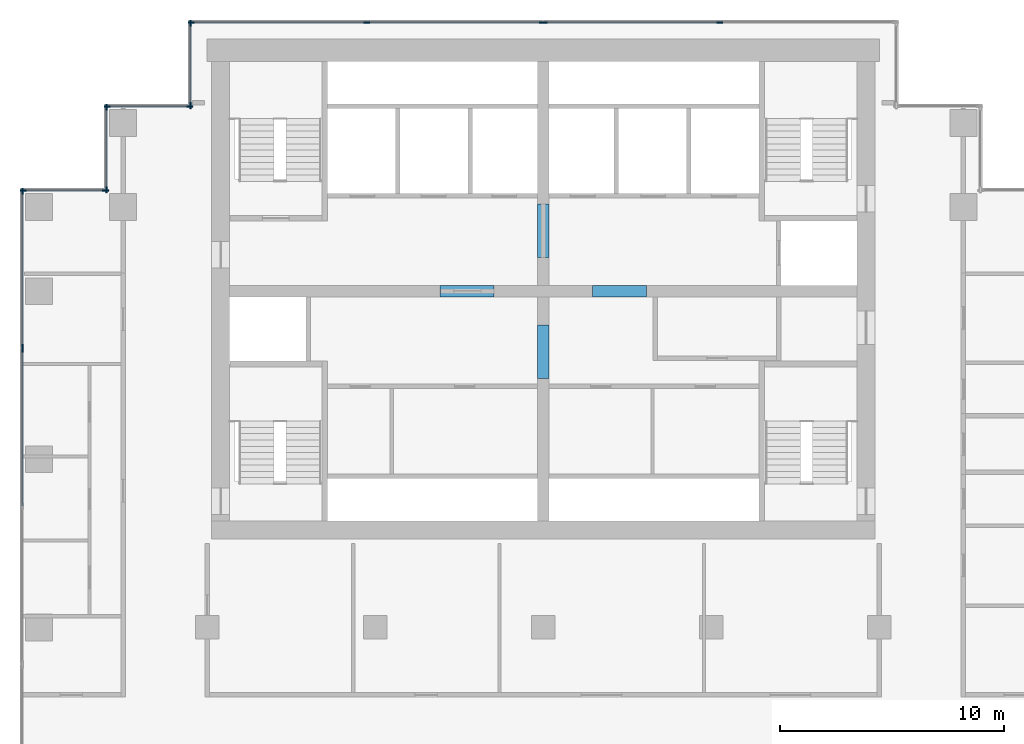
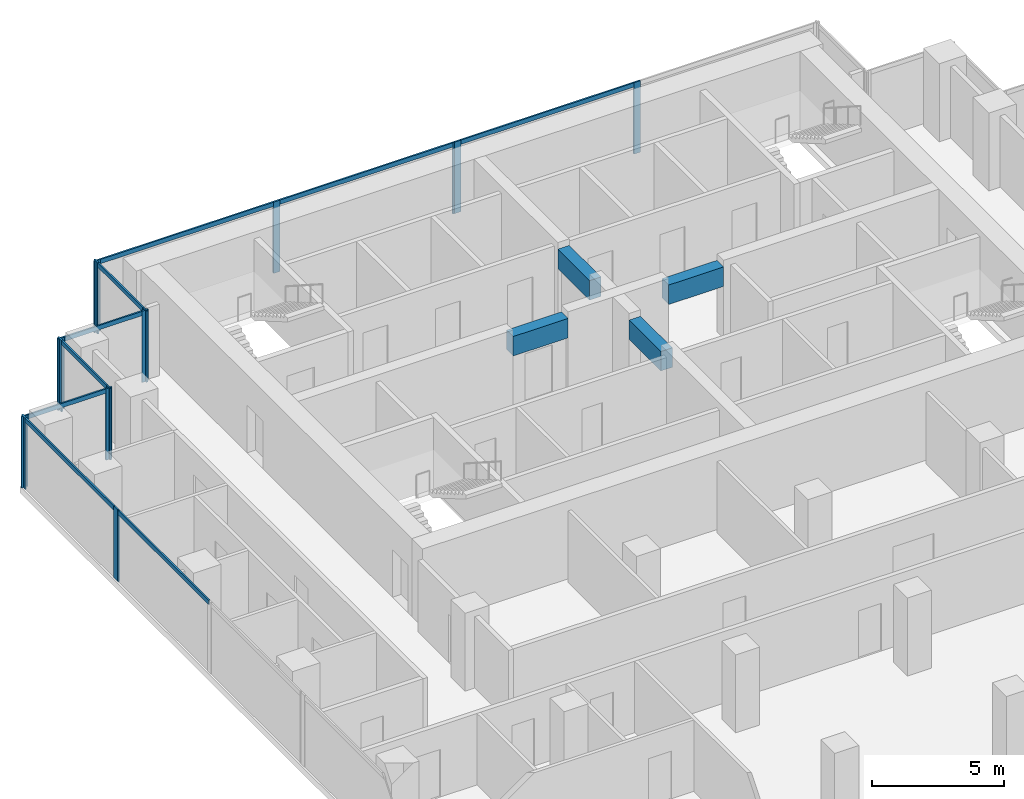
# One storey, part 4 of 10: 25 members, 4 beams, 8 elements without a shape of their own.
"""IFC4 building model written with IfcOpenShell, lengths in metres."""

from ifc_helpers import new_model, si_unit, direction, frame, origin, origin_2d, place, context, subcontext, project, spatial, rectangle, extrude, material, material_profile, profile_set, type_object, element, aggregate, save


model = new_model("IFC4")

# Units and contexts
model_context = context("Model", 3, precision=1e-05, world=origin(), true_north=direction((0.0, 1.0)))
body_context = subcontext(model_context, "Body", "Model", "MODEL_VIEW")
ifc_project = project(units=[si_unit("LENGTHUNIT", "METRE"), si_unit("AREAUNIT", "SQUARE_METRE"), si_unit("VOLUMEUNIT", "CUBIC_METRE"), si_unit("PLANEANGLEUNIT", "RADIAN"), si_unit("MASSUNIT", "GRAM", prefix="KILO")], contexts=[model_context])

# Site, building, storey
site_placement = place(None, origin())
site = spatial("IfcSite", under=ifc_project, at=site_placement, CompositionType="ELEMENT")
building_placement = place(site_placement, origin())
building = spatial("IfcBuilding", under=site, at=building_placement, Name="Pilkhan Gate Tower", CompositionType="ELEMENT")
storey_placement = place(building_placement, frame((0.0, 0.0, 154.89990234375)))
storey = spatial("IfcBuildingStorey", under=building, at=storey_placement, Name="L39", CompositionType="ELEMENT", Elevation=154.89990234375)

# Beams
ifc_material_1 = material(Name="Concrete C60/75", Category="concrete")
ifc_material_profile_1 = material_profile(ifc_material_1, rectangle(XDim=0.5, YDim=0.89990234375, at=origin_2d()), Name="RC 500x900")
ifc_profile_set_1 = profile_set([ifc_material_profile_1], Name="Concrete C60/75")
beam_type = type_object("IfcBeamType", Name="Coupling beam CB90 RC 500x900 C60/75", PredefinedType="LINTEL", material=ifc_profile_set_1)
for number, where, z_axis, x_axis, name in (
    (1, (70.39990234375, 82.5, 2.85009765625), (1.0, 0.0, 0.0), (0.0, 1.0, 0.0), "Coupling beam 1 L39"),
    (2, (77.199951171875, 82.5, 2.85009765625), (1.0, 0.0, 0.0), (0.0, 1.0, 0.0), "Coupling beam 2 L39"),
):
    element("IfcBeam", number, at=place(storey_placement, frame(where, z_axis=z_axis, x_axis=x_axis)), inside=storey, type_object=beam_type, Name=name, PredefinedType="LINTEL", context=body_context, shape_type="SweptSolid", body=[
        extrude(rectangle(XDim=0.5, YDim=0.89990234375, at=origin_2d()), origin(), (0.0, 0.0, 1.0), 2.400146484375),
    ])
for number, where, z_axis, x_axis, name in (
    (3, (75.0, 78.60009765625, 2.85009765625), (0.0, 1.0, 0.0), (-1.0, 0.0, 0.0), "Coupling beam 3 L39"),
    (4, (75.0, 84.0, 2.85009765625), (0.0, 1.0, 0.0), (-1.0, 0.0, 0.0), "Coupling beam 4 L39"),
):
    element("IfcBeam", number, at=place(storey_placement, frame(where, z_axis=z_axis, x_axis=x_axis)), inside=storey, type_object=beam_type, Name=name, PredefinedType="LINTEL", context=body_context, shape_type="SweptSolid", body=[
        extrude(rectangle(XDim=0.5, YDim=0.89990234375, at=origin_2d()), origin(), (0.0, 0.0, 1.0), 2.39990234375),
    ])

# Curtain wall, members
ifc_material_2 = material(Name="Pale anodised aluminium, clear low-iron double glazing", Category="aluminium")
curtain_wall_type = type_object("IfcCurtainWallType", Name="Office unitised curtain wall CW-O1", PredefinedType="USERDEFINED", material=ifc_material_2)
curtain_wall_1_placement = place(storey_placement, origin())
curtain_wall_1 = element("IfcCurtainWall", 5, at=curtain_wall_1_placement, inside=storey, type_object=curtain_wall_type, Name="Office unitised curtain wall CW-O1 L39 N", ObjectType="UNITISED CURTAIN WALL", PredefinedType="USERDEFINED")
ifc_material_3 = material(Name="Pale anodised aluminium", Category="aluminium")
ifc_material_profile_2 = material_profile(ifc_material_3, rectangle(XDim=0.070068359375, YDim=0.27490234375, at=origin_2d()), Name="Mullion 275x70")
ifc_profile_set_2 = profile_set([ifc_material_profile_2], Name="Pale anodised aluminium")
member_type_1 = type_object("IfcMemberType", Name="Mullion CW-O1 275x70", PredefinedType="MULLION", material=ifc_profile_set_2)
member_1_placement = place(storey_placement, frame((59.284912109375, 94.5, 0.0), z_axis=(0.0, 0.0, 1.0), x_axis=(0.0, 1.0, 0.0)))
member_1 = element("IfcMember", 6, at=member_1_placement, type_object=member_type_1, Name="CW-O1 mullion 1", PredefinedType="MULLION", context=body_context, shape_type="SweptSolid", body=[
    extrude(rectangle(XDim=0.070068359375, YDim=0.27490234375, at=origin_2d()), origin(), (0.0, 0.0, 1.0), 3.300048828125),
])
member_2_placement = place(storey_placement, frame((67.125, 94.5, 0.0), z_axis=(0.0, 0.0, 1.0), x_axis=(0.0, 1.0, 0.0)))
member_2 = element("IfcMember", 7, at=member_2_placement, type_object=member_type_1, Name="CW-O1 mullion 2", PredefinedType="MULLION", context=body_context, shape_type="SweptSolid", body=[
    extrude(rectangle(XDim=0.070068359375, YDim=0.27490234375, at=origin_2d()), origin(), (0.0, 0.0, 1.0), 3.300048828125),
])
member_3_placement = place(storey_placement, frame((74.965087890625, 94.5, 0.0), z_axis=(0.0, 0.0, 1.0), x_axis=(0.0, 1.0, 0.0)))
member_3 = element("IfcMember", 8, at=member_3_placement, type_object=member_type_1, Name="CW-O1 mullion 3", PredefinedType="MULLION", context=body_context, shape_type="SweptSolid", body=[
    extrude(rectangle(XDim=0.070068359375, YDim=0.27490234375, at=origin_2d()), origin(), (0.0, 0.0, 1.0), 3.300048828125),
])

curtain_wall_2_placement = place(storey_placement, origin())
curtain_wall_2 = element("IfcCurtainWall", 9, at=curtain_wall_2_placement, inside=storey, type_object=curtain_wall_type, Name="Office unitised curtain wall CW-O1 L39 N", ObjectType="UNITISED CURTAIN WALL", PredefinedType="USERDEFINED")
member_4_placement = place(storey_placement, frame((75.034912109375, 94.5, 0.0), z_axis=(0.0, 0.0, 1.0), x_axis=(0.0, 1.0, 0.0)))
member_4 = element("IfcMember", 10, at=member_4_placement, type_object=member_type_1, Name="CW-O1 mullion 1", PredefinedType="MULLION", context=body_context, shape_type="SweptSolid", body=[
    extrude(rectangle(XDim=0.070068359375, YDim=0.27490234375, at=origin_2d()), origin(), (0.0, 0.0, 1.0), 3.300048828125),
])
member_5_placement = place(storey_placement, frame((82.875, 94.5, 0.0), z_axis=(0.0, 0.0, 1.0), x_axis=(0.0, 1.0, 0.0)))
member_5 = element("IfcMember", 11, at=member_5_placement, type_object=member_type_1, Name="CW-O1 mullion 2", PredefinedType="MULLION", context=body_context, shape_type="SweptSolid", body=[
    extrude(rectangle(XDim=0.070068359375, YDim=0.27490234375, at=origin_2d()), origin(), (0.0, 0.0, 1.0), 3.300048828125),
])

curtain_wall_3_placement = place(storey_placement, origin())
curtain_wall_3 = element("IfcCurtainWall", 12, at=curtain_wall_3_placement, inside=storey, type_object=curtain_wall_type, Name="Office unitised curtain wall CW-O1 L39 W", ObjectType="UNITISED CURTAIN WALL", PredefinedType="USERDEFINED")
member_6_placement = place(storey_placement, frame((59.25, 90.784912109375, 0.0), z_axis=(0.0, 0.0, 1.0), x_axis=(-1.0, 0.0, 0.0)))
member_6 = element("IfcMember", 13, at=member_6_placement, type_object=member_type_1, Name="CW-O1 mullion 1", PredefinedType="MULLION", context=body_context, shape_type="SweptSolid", body=[
    extrude(rectangle(XDim=0.070068359375, YDim=0.27490234375, at=origin_2d()), origin(), (0.0, 0.0, 1.0), 3.300048828125),
])
member_7_placement = place(storey_placement, frame((59.25, 94.465087890625, 0.0), z_axis=(0.0, 0.0, 1.0), x_axis=(-1.0, 0.0, 0.0)))
member_7 = element("IfcMember", 14, at=member_7_placement, type_object=member_type_1, Name="CW-O1 mullion 2", PredefinedType="MULLION", context=body_context, shape_type="SweptSolid", body=[
    extrude(rectangle(XDim=0.070068359375, YDim=0.27490234375, at=origin_2d()), origin(), (0.0, 0.0, 1.0), 3.300048828125),
])

curtain_wall_4_placement = place(storey_placement, origin())
curtain_wall_4 = element("IfcCurtainWall", 15, at=curtain_wall_4_placement, inside=storey, type_object=curtain_wall_type, Name="Office unitised curtain wall CW-O1 L39 N", ObjectType="UNITISED CURTAIN WALL", PredefinedType="USERDEFINED")
member_8_placement = place(storey_placement, frame((55.534912109375, 90.75, 0.0), z_axis=(0.0, 0.0, 1.0), x_axis=(0.0, 1.0, 0.0)))
member_8 = element("IfcMember", 16, at=member_8_placement, type_object=member_type_1, Name="CW-O1 mullion 1", PredefinedType="MULLION", context=body_context, shape_type="SweptSolid", body=[
    extrude(rectangle(XDim=0.070068359375, YDim=0.27490234375, at=origin_2d()), origin(), (0.0, 0.0, 1.0), 3.300048828125),
])
member_9_placement = place(storey_placement, frame((59.215087890625, 90.75, 0.0), z_axis=(0.0, 0.0, 1.0), x_axis=(0.0, 1.0, 0.0)))
member_9 = element("IfcMember", 17, at=member_9_placement, type_object=member_type_1, Name="CW-O1 mullion 2", PredefinedType="MULLION", context=body_context, shape_type="SweptSolid", body=[
    extrude(rectangle(XDim=0.070068359375, YDim=0.27490234375, at=origin_2d()), origin(), (0.0, 0.0, 1.0), 3.300048828125),
])

curtain_wall_5_placement = place(storey_placement, origin())
curtain_wall_5 = element("IfcCurtainWall", 18, at=curtain_wall_5_placement, inside=storey, type_object=curtain_wall_type, Name="Office unitised curtain wall CW-O1 L39 W", ObjectType="UNITISED CURTAIN WALL", PredefinedType="USERDEFINED")
member_10_placement = place(storey_placement, frame((55.5, 87.034912109375, 0.0), z_axis=(0.0, 0.0, 1.0), x_axis=(-1.0, 0.0, 0.0)))
member_10 = element("IfcMember", 19, at=member_10_placement, type_object=member_type_1, Name="CW-O1 mullion 1", PredefinedType="MULLION", context=body_context, shape_type="SweptSolid", body=[
    extrude(rectangle(XDim=0.070068359375, YDim=0.27490234375, at=origin_2d()), origin(), (0.0, 0.0, 1.0), 3.300048828125),
])
member_11_placement = place(storey_placement, frame((55.5, 90.715087890625, 0.0), z_axis=(0.0, 0.0, 1.0), x_axis=(-1.0, 0.0, 0.0)))
member_11 = element("IfcMember", 20, at=member_11_placement, type_object=member_type_1, Name="CW-O1 mullion 2", PredefinedType="MULLION", context=body_context, shape_type="SweptSolid", body=[
    extrude(rectangle(XDim=0.070068359375, YDim=0.27490234375, at=origin_2d()), origin(), (0.0, 0.0, 1.0), 3.300048828125),
])

curtain_wall_6_placement = place(storey_placement, origin())
curtain_wall_6 = element("IfcCurtainWall", 21, at=curtain_wall_6_placement, inside=storey, type_object=curtain_wall_type, Name="Office unitised curtain wall CW-O1 L39 N", ObjectType="UNITISED CURTAIN WALL", PredefinedType="USERDEFINED")
member_12_placement = place(storey_placement, frame((51.784912109375, 87.0, 0.0), z_axis=(0.0, 0.0, 1.0), x_axis=(0.0, 1.0, 0.0)))
member_12 = element("IfcMember", 22, at=member_12_placement, type_object=member_type_1, Name="CW-O1 mullion 1", PredefinedType="MULLION", context=body_context, shape_type="SweptSolid", body=[
    extrude(rectangle(XDim=0.070068359375, YDim=0.27490234375, at=origin_2d()), origin(), (0.0, 0.0, 1.0), 3.300048828125),
])
member_13_placement = place(storey_placement, frame((55.465087890625, 87.0, 0.0), z_axis=(0.0, 0.0, 1.0), x_axis=(0.0, 1.0, 0.0)))
member_13 = element("IfcMember", 23, at=member_13_placement, type_object=member_type_1, Name="CW-O1 mullion 2", PredefinedType="MULLION", context=body_context, shape_type="SweptSolid", body=[
    extrude(rectangle(XDim=0.070068359375, YDim=0.27490234375, at=origin_2d()), origin(), (0.0, 0.0, 1.0), 3.300048828125),
])

# Curtain wall, member
curtain_wall_7_placement = place(storey_placement, origin())
curtain_wall_7 = element("IfcCurtainWall", 24, at=curtain_wall_7_placement, inside=storey, type_object=curtain_wall_type, Name="Office unitised curtain wall CW-O1 L39 W", ObjectType="UNITISED CURTAIN WALL", PredefinedType="USERDEFINED")
member_14_placement = place(storey_placement, frame((51.75, 79.9150390625, 0.0), z_axis=(0.0, 0.0, 1.0), x_axis=(-1.0, 0.0, 0.0)))
member_14 = element("IfcMember", 25, at=member_14_placement, type_object=member_type_1, Name="CW-O1 mullion 3", PredefinedType="MULLION", context=body_context, shape_type="SweptSolid", body=[
    extrude(rectangle(XDim=0.070068359375, YDim=0.27490234375, at=origin_2d()), origin(), (0.0, 0.0, 1.0), 3.300048828125),
])

# Curtain wall, members
curtain_wall_8_placement = place(storey_placement, origin())
curtain_wall_8 = element("IfcCurtainWall", 26, at=curtain_wall_8_placement, inside=storey, type_object=curtain_wall_type, Name="Office unitised curtain wall CW-O1 L39 W", ObjectType="UNITISED CURTAIN WALL", PredefinedType="USERDEFINED")
member_15_placement = place(storey_placement, frame((51.75, 79.985107421875, 0.0), z_axis=(0.0, 0.0, 1.0), x_axis=(-1.0, 0.0, 0.0)))
member_15 = element("IfcMember", 27, at=member_15_placement, type_object=member_type_1, Name="CW-O1 mullion 1", PredefinedType="MULLION", context=body_context, shape_type="SweptSolid", body=[
    extrude(rectangle(XDim=0.070068359375, YDim=0.27490234375, at=origin_2d()), origin(), (0.0, 0.0, 1.0), 3.300048828125),
])
member_16_placement = place(storey_placement, frame((51.75, 86.965087890625, 0.0), z_axis=(0.0, 0.0, 1.0), x_axis=(-1.0, 0.0, 0.0)))
member_16 = element("IfcMember", 28, at=member_16_placement, type_object=member_type_1, Name="CW-O1 mullion 2", PredefinedType="MULLION", context=body_context, shape_type="SweptSolid", body=[
    extrude(rectangle(XDim=0.070068359375, YDim=0.27490234375, at=origin_2d()), origin(), (0.0, 0.0, 1.0), 3.300048828125),
])

# Member
ifc_material_profile_3 = material_profile(ifc_material_3, rectangle(XDim=0.070068359375, YDim=0.199951171875, at=origin_2d()), Name="Transom 200x70")
ifc_profile_set_3 = profile_set([ifc_material_profile_3], Name="Pale anodised aluminium")
member_type_2 = type_object("IfcMemberType", Name="Transom CW-O1 200x70", PredefinedType="USERDEFINED", material=ifc_profile_set_3)
member_17_placement = place(storey_placement, frame((59.320068359375, 94.5, 3.2001953125), z_axis=(1.0, 0.0, 0.0), x_axis=(0.0, 1.0, 0.0)))
member_17 = element("IfcMember", 29, at=member_17_placement, type_object=member_type_2, Name="CW-O1 transom 1", ObjectType="TRANSOM", PredefinedType="USERDEFINED", context=body_context, shape_type="SweptSolid", body=[
    extrude(rectangle(XDim=0.070068359375, YDim=0.199951171875, at=origin_2d()), origin(), (0.0, 0.0, 1.0), 7.77001953125),
])

member_18_placement = place(storey_placement, frame((67.159912109375, 94.5, 3.2001953125), z_axis=(1.0, 0.0, 0.0), x_axis=(0.0, 1.0, 0.0)))
member_18 = element("IfcMember", 30, at=member_18_placement, type_object=member_type_2, Name="CW-O1 transom 2", ObjectType="TRANSOM", PredefinedType="USERDEFINED", context=body_context, shape_type="SweptSolid", body=[
    extrude(rectangle(XDim=0.070068359375, YDim=0.199951171875, at=origin_2d()), origin(), (0.0, 0.0, 1.0), 7.77001953125),
])

aggregate(curtain_wall_1, [member_1, member_2, member_3, member_17, member_18])

member_19_placement = place(storey_placement, frame((75.070068359375, 94.5, 3.2001953125), z_axis=(1.0, 0.0, 0.0), x_axis=(0.0, 1.0, 0.0)))
member_19 = element("IfcMember", 31, at=member_19_placement, type_object=member_type_2, Name="CW-O1 transom 1", ObjectType="TRANSOM", PredefinedType="USERDEFINED", context=body_context, shape_type="SweptSolid", body=[
    extrude(rectangle(XDim=0.070068359375, YDim=0.199951171875, at=origin_2d()), origin(), (0.0, 0.0, 1.0), 7.77001953125),
])

aggregate(curtain_wall_2, [member_4, member_5, member_19])

member_20_placement = place(storey_placement, frame((59.25, 90.820068359375, 3.2001953125), z_axis=(0.0, 1.0, 0.0), x_axis=(-1.0, 0.0, 0.0)))
member_20 = element("IfcMember", 32, at=member_20_placement, type_object=member_type_2, Name="CW-O1 transom 1", ObjectType="TRANSOM", PredefinedType="USERDEFINED", context=body_context, shape_type="SweptSolid", body=[
    extrude(rectangle(XDim=0.070068359375, YDim=0.199951171875, at=origin_2d()), origin(), (0.0, 0.0, 1.0), 3.60986328125),
])

aggregate(curtain_wall_3, [member_6, member_7, member_20])

member_21_placement = place(storey_placement, frame((55.570068359375, 90.75, 3.2001953125), z_axis=(1.0, 0.0, 0.0), x_axis=(0.0, 1.0, 0.0)))
member_21 = element("IfcMember", 33, at=member_21_placement, type_object=member_type_2, Name="CW-O1 transom 1", ObjectType="TRANSOM", PredefinedType="USERDEFINED", context=body_context, shape_type="SweptSolid", body=[
    extrude(rectangle(XDim=0.070068359375, YDim=0.199951171875, at=origin_2d()), origin(), (0.0, 0.0, 1.0), 3.60986328125),
])

aggregate(curtain_wall_4, [member_8, member_9, member_21])

member_22_placement = place(storey_placement, frame((55.5, 87.070068359375, 3.2001953125), z_axis=(0.0, 1.0, 0.0), x_axis=(-1.0, 0.0, 0.0)))
member_22 = element("IfcMember", 34, at=member_22_placement, type_object=member_type_2, Name="CW-O1 transom 1", ObjectType="TRANSOM", PredefinedType="USERDEFINED", context=body_context, shape_type="SweptSolid", body=[
    extrude(rectangle(XDim=0.070068359375, YDim=0.199951171875, at=origin_2d()), origin(), (0.0, 0.0, 1.0), 3.60986328125),
])

aggregate(curtain_wall_5, [member_10, member_11, member_22])

member_23_placement = place(storey_placement, frame((51.820068359375, 87.0, 3.2001953125), z_axis=(1.0, 0.0, 0.0), x_axis=(0.0, 1.0, 0.0)))
member_23 = element("IfcMember", 35, at=member_23_placement, type_object=member_type_2, Name="CW-O1 transom 1", ObjectType="TRANSOM", PredefinedType="USERDEFINED", context=body_context, shape_type="SweptSolid", body=[
    extrude(rectangle(XDim=0.070068359375, YDim=0.199951171875, at=origin_2d()), origin(), (0.0, 0.0, 1.0), 3.60986328125),
])

aggregate(curtain_wall_6, [member_12, member_13, member_23])

member_24_placement = place(storey_placement, frame((51.75, 72.93505859375, 3.2001953125), z_axis=(0.0, 1.0, 0.0), x_axis=(-1.0, 0.0, 0.0)))
member_24 = element("IfcMember", 36, at=member_24_placement, type_object=member_type_2, Name="CW-O1 transom 2", ObjectType="TRANSOM", PredefinedType="USERDEFINED", context=body_context, shape_type="SweptSolid", body=[
    extrude(rectangle(XDim=0.070068359375, YDim=0.199951171875, at=origin_2d()), origin(), (0.0, 0.0, 1.0), 6.94482421875),
])

aggregate(curtain_wall_7, [member_14, member_24])

member_25_placement = place(storey_placement, frame((51.75, 80.02001953125, 3.2001953125), z_axis=(0.0, 1.0, 0.0), x_axis=(-1.0, 0.0, 0.0)))
member_25 = element("IfcMember", 37, at=member_25_placement, type_object=member_type_2, Name="CW-O1 transom 1", ObjectType="TRANSOM", PredefinedType="USERDEFINED", context=body_context, shape_type="SweptSolid", body=[
    extrude(rectangle(XDim=0.070068359375, YDim=0.199951171875, at=origin_2d()), origin(), (0.0, 0.0, 1.0), 6.909912109375),
])

aggregate(curtain_wall_8, [member_15, member_16, member_25])

save(model, "model.ifc")
